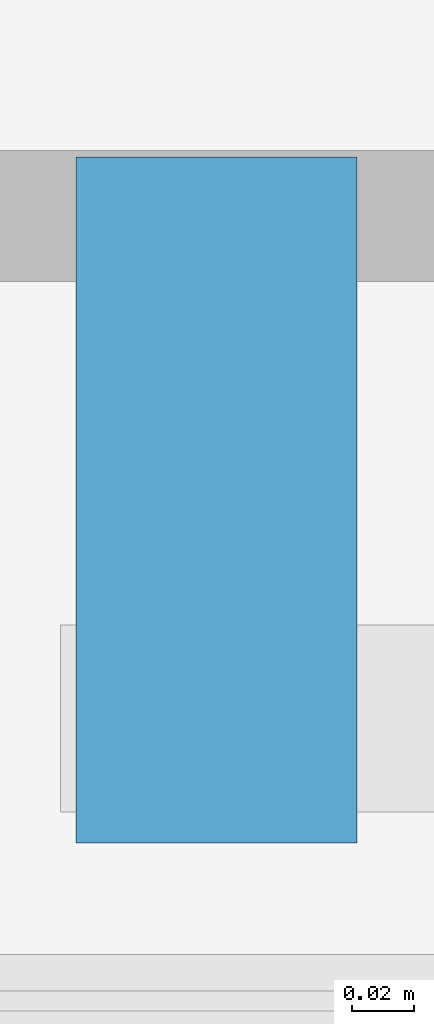
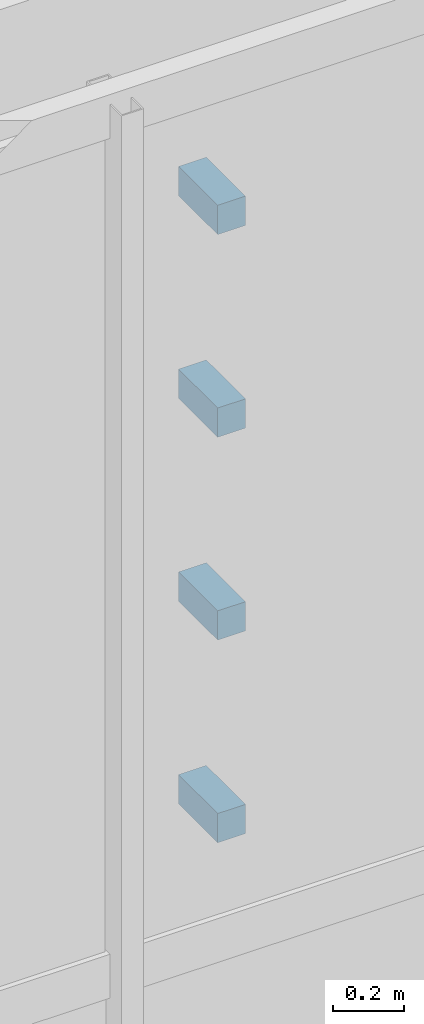
# One storey, part 33 of 38: 4 discrete accessories.
"""IFC4 building model written with IfcOpenShell, lengths in metres."""

import ifcopenshell
import ifcopenshell.guid

model = None  # the IFC model being written
_history = None  # IfcOwnerHistory: only IFC2X3 demands one
_inside = {}  # id of a spatial element -> (the spatial element, [elements in it])
_under = {}  # id of a project, library or spatial element -> (it, [spatial elements below it])
_declared = {}  # id of a project -> (the project, [libraries it declares])
_typed = {}  # id of a type object -> (the type object, [elements of that type])
_made_of = {}  # id of a material, layer set ... -> (it, [elements and type objects made of it])


def new_model(schema):
    """Start an empty IFC model of exactly this schema.

    Asked for "IFC4X3", IfcOpenShell would pick the latest addendum, in which some entities
    have other attributes; the version numbers below select the first issue.
    IFC2X3 requires an IfcOwnerHistory on every rooted entity: one is made here for all.
    """
    global model, _history
    if schema == "IFC4X3":
        model = ifcopenshell.file(schema_version=(4, 3, 0, 0))
    else:
        model = ifcopenshell.file(schema=schema)
    _inside.clear()
    _under.clear()
    _declared.clear()
    _typed.clear()
    _made_of.clear()
    _history = None
    if model.schema == "IFC2X3":
        org = make("IfcOrganization", Name="unknown")
        user = make(
            "IfcPersonAndOrganization",
            ThePerson=make("IfcPerson", FamilyName="unknown"),
            TheOrganization=org,
        )
        app = make(
            "IfcApplication",
            ApplicationDeveloper=org,
            Version="unknown",
            ApplicationFullName="unknown",
            ApplicationIdentifier="unknown",
        )
        _history = make(
            "IfcOwnerHistory",
            OwningUser=user,
            OwningApplication=app,
            ChangeAction="ADDED",
            CreationDate=0,
        )
    return model


def make(cls, **values):
    """One entity of the class cls with the attributes given. An attribute that is None is left unset."""
    return model.create_entity(
        cls, **{name: value for name, value in values.items() if value is not None}
    )


def rooted(cls, **values):
    """An entity with a GlobalId (a new one), such as an element, a storey or a relation."""
    return make(cls, GlobalId=ifcopenshell.guid.new(), OwnerHistory=_history, **values)


def si_unit(unit_type, name, prefix=None):
    """IfcSIUnit, for example si_unit("LENGTHUNIT", "METRE", prefix="MILLI")."""
    return make("IfcSIUnit", UnitType=unit_type, Prefix=prefix, Name=name)


def assignment(units):
    """IfcUnitAssignment: the units of a project."""
    return None if units is None else make("IfcUnitAssignment", Units=units)


def point(xyz):
    """IfcCartesianPoint."""
    return None if xyz is None else make("IfcCartesianPoint", Coordinates=xyz)


def direction(xyz):
    """IfcDirection."""
    return None if xyz is None else make("IfcDirection", DirectionRatios=xyz)


def frame(location, z_axis=None, x_axis=None):
    """IfcAxis2Placement3D, a coordinate frame: its origin and axes. An axis left out is left unset."""
    return make(
        "IfcAxis2Placement3D",
        Location=point(location),
        Axis=direction(z_axis),
        RefDirection=direction(x_axis),
    )


def frame_2d(location, x_axis=None):
    """IfcAxis2Placement2D, a coordinate frame in the plane: its origin and x axis."""
    return make(
        "IfcAxis2Placement2D", Location=point(location), RefDirection=direction(x_axis)
    )


def origin():
    """The frame at (0, 0, 0) with its axes left unset."""
    return frame((0.0, 0.0, 0.0))


def origin_2d():
    """The frame at (0, 0) in the plane with its x axis left unset."""
    return frame_2d((0.0, 0.0))


def place(relative_to, where):
    """IfcLocalPlacement: puts the frame where relative to a parent placement (None: the world)."""
    return make(
        "IfcLocalPlacement", PlacementRelTo=relative_to, RelativePlacement=where
    )


def context(
    kind, dimensions, precision=None, world=None, true_north=None, identifier=None
):
    """IfcGeometricRepresentationContext, for example the 3D "Model" context."""
    return make(
        "IfcGeometricRepresentationContext",
        ContextIdentifier=identifier,
        ContextType=kind,
        CoordinateSpaceDimension=dimensions,
        Precision=precision,
        WorldCoordinateSystem=world,
        TrueNorth=true_north,
    )


def subcontext(parent, identifier, kind, view, scale=None):
    """IfcGeometricRepresentationSubContext, for example "Body" below "Model"."""
    return make(
        "IfcGeometricRepresentationSubContext",
        ContextIdentifier=identifier,
        ContextType=kind,
        ParentContext=parent,
        TargetScale=scale,
        TargetView=view,
    )


def project(units=None, contexts=None):
    """IfcProject with its units and contexts."""
    return rooted(
        "IfcProject",
        Name="project",
        RepresentationContexts=contexts,
        UnitsInContext=assignment(units),
    )


def spatial(cls, under=None, at=None, **own):
    """A site, building, storey or space (cls), placed at a placement, below another one or the project."""
    s = rooted(cls, ObjectPlacement=at, **own)
    if under is not None:
        _under.setdefault(under.id(), (under, []))[1].append(s)
    return s


def profile(cls, at=None, kind="AREA", **sizes):
    """A parametric profile (cls). Its sizes go by their IFC names, for example OverallWidth=200.0."""
    return make(cls, ProfileType=kind, Position=at, **sizes)


def rectangle(**sizes):
    """IfcRectangleProfileDef."""
    return profile("IfcRectangleProfileDef", **sizes)


def extrude(swept, where, along, depth):
    """IfcExtrudedAreaSolid: the profile swept, set in the frame where, extruded along a direction by depth."""
    return make(
        "IfcExtrudedAreaSolid",
        SweptArea=swept,
        Position=where,
        ExtrudedDirection=direction(along),
        Depth=depth,
    )


def shape(context_of_items, identifier, shape_type, items):
    """IfcShapeRepresentation: the items that make up one representation, for example the "Body"."""
    return make(
        "IfcShapeRepresentation",
        ContextOfItems=context_of_items,
        RepresentationIdentifier=identifier,
        RepresentationType=shape_type,
        Items=items,
    )


def material(Name=None, Category=None):
    """IfcMaterial."""
    return make("IfcMaterial", Name=Name, Category=Category)


def made_of(thing, what):
    """Note that an element or type object is made of a material, layer set ...; save() writes the relation."""
    if what is not None:
        _made_of.setdefault(what.id(), (what, []))[1].append(thing)
    return thing


def type_object(cls, material=None, **own):
    """A type object (cls), such as IfcWallType, which elements share."""
    return made_of(rooted(cls, **own), material)


def element(
    cls,
    number,
    at=None,
    inside=None,
    cuts=None,
    type_object=None,
    material=None,
    context=None,
    identifier="Body",
    shape_type=None,
    held_by="IfcProductDefinitionShape",
    body=None,
    shapes=None,
    **own,
):
    """One element of the class cls, such as IfcWall. Its Tag is "e" and its number.

    at: its placement. inside: the storey or other place that contains it. cuts: it is an
    opening in that element (IfcRelVoidsElement). A single representation is given by context,
    identifier, shape_type and body (its items); several are given by shapes. held_by: the class
    of the entity that holds the representations. save() writes the other relations.
    """
    e = rooted(cls, Tag="e%d" % number, ObjectPlacement=at, **own)
    if body is not None:
        shapes = [shape(context, identifier, shape_type, body)]
    if shapes is not None:
        e.Representation = make(held_by, Representations=shapes)
    if inside is not None:
        _inside.setdefault(inside.id(), (inside, []))[1].append(e)
    if cuts is not None:
        rooted(
            "IfcRelVoidsElement", RelatingBuildingElement=cuts, RelatedOpeningElement=e
        )
    if type_object is not None:
        _typed.setdefault(type_object.id(), (type_object, []))[1].append(e)
    return made_of(e, material)


def aggregate(whole, parts):
    """IfcRelAggregates: a whole, such as a stair, and the parts it consists of."""
    return rooted("IfcRelAggregates", RelatingObject=whole, RelatedObjects=parts)


def save(model, path):
    """Write the relations noted so far, then the file.

    IfcRelAggregates (storeys below a building ...), IfcRelContainedInSpatialStructure (elements
    in a storey), IfcRelDefinesByType, IfcRelAssociatesMaterial and IfcRelDeclares: one each for
    every whole, place, type object, material and project.
    """
    for whole, parts in _under.values():
        aggregate(whole, parts)
    for where, things in _inside.values():
        rooted(
            "IfcRelContainedInSpatialStructure",
            RelatedElements=things,
            RelatingStructure=where,
        )
    for kind, things in _typed.values():
        rooted("IfcRelDefinesByType", RelatedObjects=things, RelatingType=kind)
    for what, things in _made_of.values():
        rooted("IfcRelAssociatesMaterial", RelatedObjects=things, RelatingMaterial=what)
    for by, libraries in _declared.values():
        rooted("IfcRelDeclares", RelatingContext=by, RelatedDefinitions=libraries)
    model.write(path)


model = new_model("IFC4")

# Units and contexts
model_context = context("Model", 3, precision=1e-05, world=origin(), true_north=direction((0.0, 1.0)))
body_context = subcontext(model_context, "Body", "Model", "MODEL_VIEW")
ifc_project = project(units=[si_unit("LENGTHUNIT", "METRE"), si_unit("AREAUNIT", "SQUARE_METRE"), si_unit("VOLUMEUNIT", "CUBIC_METRE"), si_unit("PLANEANGLEUNIT", "RADIAN"), si_unit("MASSUNIT", "GRAM", prefix="KILO")], contexts=[model_context])

# Site, building, storey
site_placement = place(None, origin())
site = spatial("IfcSite", under=ifc_project, at=site_placement, CompositionType="ELEMENT")
building_placement = place(site_placement, origin())
building = spatial("IfcBuilding", under=site, at=building_placement, Name="Punatoya Terracotta Tower", CompositionType="ELEMENT")
storey_placement = place(building_placement, frame((0.0, 0.0, 151.949951171875)))
storey = spatial("IfcBuildingStorey", under=building, at=storey_placement, Name="L35", CompositionType="ELEMENT", Elevation=151.949951171875)

# Discrete accessories
ifc_material = material(Name="Steel S355", Category="steel")
discrete_accessory_type = type_object("IfcDiscreteAccessoryType", Name="ACC-BRK-220", PredefinedType="BRACKET", material=ifc_material)
for number, where, z_axis, x_axis, name in (
    (1, (-3.75, -18.27001953125, 1.10009765625), (0.0, 0.0, 1.0), (1.0, 0.0, 0.0), "L35 Baguette Louvre Column Bracket BAG-L35-S-01"),
    (2, (-3.75, -18.27001953125, 1.793212890625), (0.0, 0.0, 1.0), (1.0, 0.0, 0.0), "L35 Baguette Louvre Column Bracket BAG-L35-S-02"),
    (3, (-3.75, -18.27001953125, 2.48681640625), (0.0, 0.0, 1.0), (1.0, 0.0, 0.0), "L35 Baguette Louvre Column Bracket BAG-L35-S-03"),
    (4, (-3.75, -18.27001953125, 3.179931640625), (0.0, 0.0, 1.0), (1.0, 0.0, 0.0), "L35 Baguette Louvre Column Bracket BAG-L35-S-04"),
):
    element("IfcDiscreteAccessory", number, at=place(storey_placement, frame(where, z_axis=z_axis, x_axis=x_axis)), inside=storey, type_object=discrete_accessory_type, Name=name, PredefinedType="BRACKET", context=body_context, shape_type="SweptSolid", body=[
        extrude(rectangle(XDim=0.090087890625, YDim=0.219970703125, at=origin_2d()), origin(), (0.0, 0.0, 1.0), 0.10009765625),
    ])

save(model, "model.ifc")
